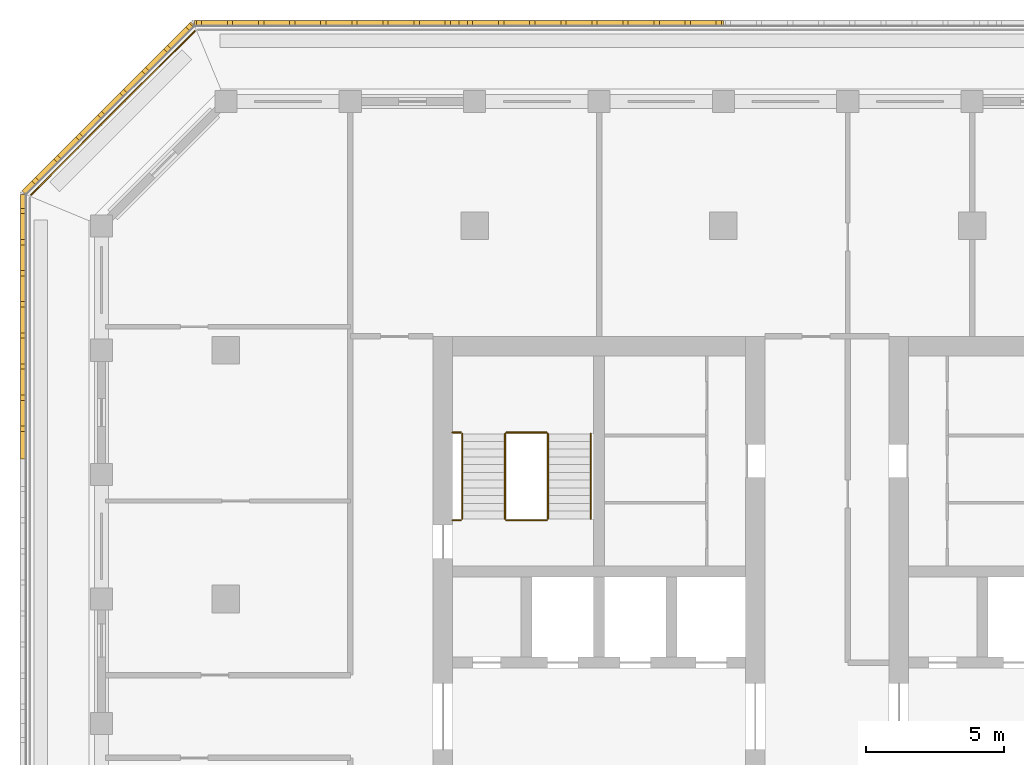
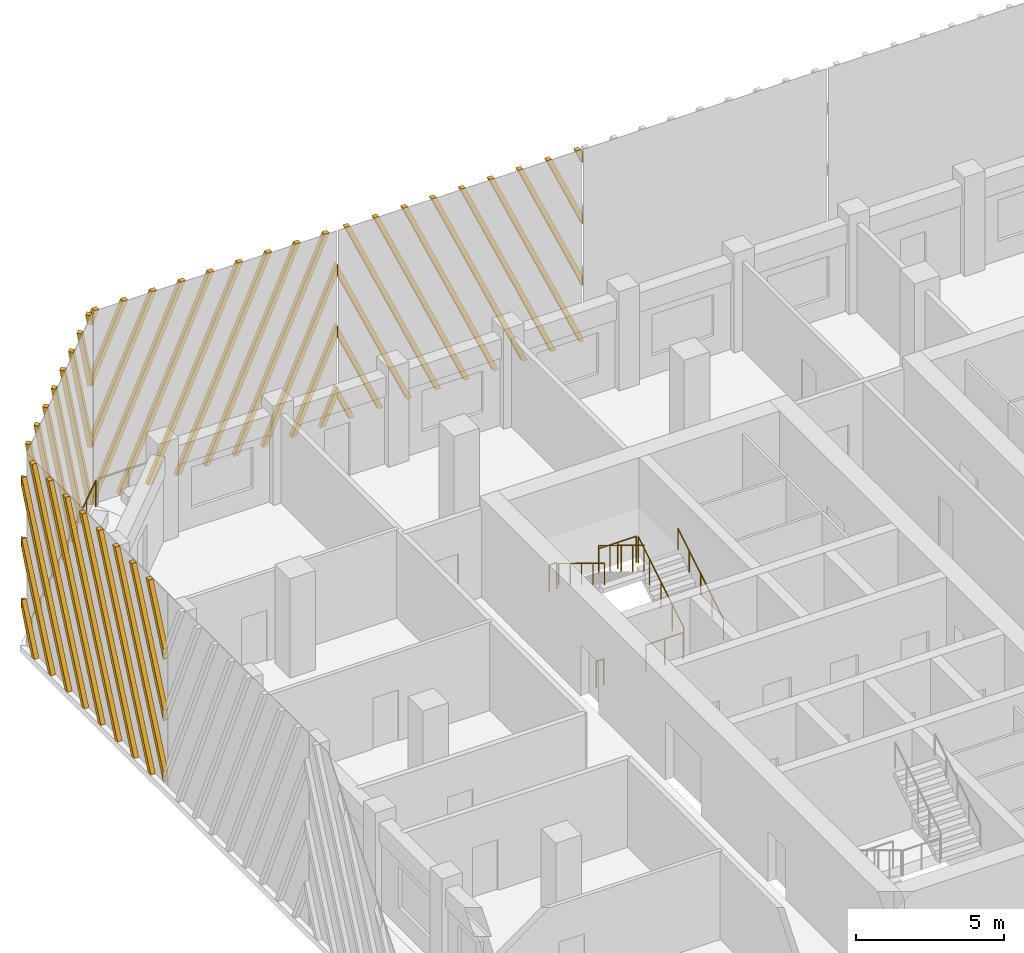
# One storey, part 12 of 15: 9 railings, 4 shading devices.
"""IFC4 building model written with IfcOpenShell, lengths in metres."""

import ifcopenshell
import ifcopenshell.guid

model = None  # the IFC model being written
_history = None  # IfcOwnerHistory: only IFC2X3 demands one
_inside = {}  # id of a spatial element -> (the spatial element, [elements in it])
_under = {}  # id of a project, library or spatial element -> (it, [spatial elements below it])
_declared = {}  # id of a project -> (the project, [libraries it declares])
_typed = {}  # id of a type object -> (the type object, [elements of that type])
_made_of = {}  # id of a material, layer set ... -> (it, [elements and type objects made of it])


def new_model(schema):
    """Start an empty IFC model of exactly this schema.

    Asked for "IFC4X3", IfcOpenShell would pick the latest addendum, in which some entities
    have other attributes; the version numbers below select the first issue.
    IFC2X3 requires an IfcOwnerHistory on every rooted entity: one is made here for all.
    """
    global model, _history
    if schema == "IFC4X3":
        model = ifcopenshell.file(schema_version=(4, 3, 0, 0))
    else:
        model = ifcopenshell.file(schema=schema)
    _inside.clear()
    _under.clear()
    _declared.clear()
    _typed.clear()
    _made_of.clear()
    _history = None
    if model.schema == "IFC2X3":
        org = make("IfcOrganization", Name="unknown")
        user = make(
            "IfcPersonAndOrganization",
            ThePerson=make("IfcPerson", FamilyName="unknown"),
            TheOrganization=org,
        )
        app = make(
            "IfcApplication",
            ApplicationDeveloper=org,
            Version="unknown",
            ApplicationFullName="unknown",
            ApplicationIdentifier="unknown",
        )
        _history = make(
            "IfcOwnerHistory",
            OwningUser=user,
            OwningApplication=app,
            ChangeAction="ADDED",
            CreationDate=0,
        )
    return model


def make(cls, **values):
    """One entity of the class cls with the attributes given. An attribute that is None is left unset."""
    return model.create_entity(
        cls, **{name: value for name, value in values.items() if value is not None}
    )


def rooted(cls, **values):
    """An entity with a GlobalId (a new one), such as an element, a storey or a relation."""
    return make(cls, GlobalId=ifcopenshell.guid.new(), OwnerHistory=_history, **values)


def si_unit(unit_type, name, prefix=None):
    """IfcSIUnit, for example si_unit("LENGTHUNIT", "METRE", prefix="MILLI")."""
    return make("IfcSIUnit", UnitType=unit_type, Prefix=prefix, Name=name)


def assignment(units):
    """IfcUnitAssignment: the units of a project."""
    return None if units is None else make("IfcUnitAssignment", Units=units)


def point(xyz):
    """IfcCartesianPoint."""
    return None if xyz is None else make("IfcCartesianPoint", Coordinates=xyz)


def direction(xyz):
    """IfcDirection."""
    return None if xyz is None else make("IfcDirection", DirectionRatios=xyz)


def frame(location, z_axis=None, x_axis=None):
    """IfcAxis2Placement3D, a coordinate frame: its origin and axes. An axis left out is left unset."""
    return make(
        "IfcAxis2Placement3D",
        Location=point(location),
        Axis=direction(z_axis),
        RefDirection=direction(x_axis),
    )


def frame_2d(location, x_axis=None):
    """IfcAxis2Placement2D, a coordinate frame in the plane: its origin and x axis."""
    return make(
        "IfcAxis2Placement2D", Location=point(location), RefDirection=direction(x_axis)
    )


def origin():
    """The frame at (0, 0, 0) with its axes left unset."""
    return frame((0.0, 0.0, 0.0))


def origin_2d():
    """The frame at (0, 0) in the plane with its x axis left unset."""
    return frame_2d((0.0, 0.0))


def place(relative_to, where):
    """IfcLocalPlacement: puts the frame where relative to a parent placement (None: the world)."""
    return make(
        "IfcLocalPlacement", PlacementRelTo=relative_to, RelativePlacement=where
    )


def context(
    kind, dimensions, precision=None, world=None, true_north=None, identifier=None
):
    """IfcGeometricRepresentationContext, for example the 3D "Model" context."""
    return make(
        "IfcGeometricRepresentationContext",
        ContextIdentifier=identifier,
        ContextType=kind,
        CoordinateSpaceDimension=dimensions,
        Precision=precision,
        WorldCoordinateSystem=world,
        TrueNorth=true_north,
    )


def subcontext(parent, identifier, kind, view, scale=None):
    """IfcGeometricRepresentationSubContext, for example "Body" below "Model"."""
    return make(
        "IfcGeometricRepresentationSubContext",
        ContextIdentifier=identifier,
        ContextType=kind,
        ParentContext=parent,
        TargetScale=scale,
        TargetView=view,
    )


def project(units=None, contexts=None):
    """IfcProject with its units and contexts."""
    return rooted(
        "IfcProject",
        Name="project",
        RepresentationContexts=contexts,
        UnitsInContext=assignment(units),
    )


def spatial(cls, under=None, at=None, **own):
    """A site, building, storey or space (cls), placed at a placement, below another one or the project."""
    s = rooted(cls, ObjectPlacement=at, **own)
    if under is not None:
        _under.setdefault(under.id(), (under, []))[1].append(s)
    return s


def polyline(points):
    """IfcPolyline through the points."""
    return make("IfcPolyline", Points=[point(p) for p in points])


def profile(cls, at=None, kind="AREA", **sizes):
    """A parametric profile (cls). Its sizes go by their IFC names, for example OverallWidth=200.0."""
    return make(cls, ProfileType=kind, Position=at, **sizes)


def circle(**sizes):
    """IfcCircleProfileDef."""
    return profile("IfcCircleProfileDef", **sizes)


def outline(outer, holes=None, kind="AREA"):
    """IfcArbitraryClosedProfileDef: a profile drawn as a closed curve; with holes, ...WithVoids."""
    if holes is None:
        return make("IfcArbitraryClosedProfileDef", ProfileType=kind, OuterCurve=outer)
    return make(
        "IfcArbitraryProfileDefWithVoids",
        ProfileType=kind,
        OuterCurve=outer,
        InnerCurves=holes,
    )


def extrude(swept, where, along, depth):
    """IfcExtrudedAreaSolid: the profile swept, set in the frame where, extruded along a direction by depth."""
    return make(
        "IfcExtrudedAreaSolid",
        SweptArea=swept,
        Position=where,
        ExtrudedDirection=direction(along),
        Depth=depth,
    )


def shape(context_of_items, identifier, shape_type, items):
    """IfcShapeRepresentation: the items that make up one representation, for example the "Body"."""
    return make(
        "IfcShapeRepresentation",
        ContextOfItems=context_of_items,
        RepresentationIdentifier=identifier,
        RepresentationType=shape_type,
        Items=items,
    )


def source(mapping_origin, context_of_items, identifier, shape_type, items):
    """IfcRepresentationMap: a shape defined once, which mapped items show again and again."""
    return make(
        "IfcRepresentationMap",
        MappingOrigin=mapping_origin,
        MappedRepresentation=shape(context_of_items, identifier, shape_type, items),
    )


def transform(
    local_origin,
    x_axis=None,
    y_axis=None,
    z_axis=None,
    scale=None,
    scale2=None,
    scale3=None,
    uniform=True,
):
    """IfcCartesianTransformationOperator3D, or its non-uniform kind. x_axis, y_axis, z_axis: its Axis1, 2, 3."""
    if uniform:
        return make(
            "IfcCartesianTransformationOperator3D",
            Axis1=direction(x_axis),
            Axis2=direction(y_axis),
            LocalOrigin=point(local_origin),
            Scale=scale,
            Axis3=direction(z_axis),
        )
    return make(
        "IfcCartesianTransformationOperator3DnonUniform",
        Axis1=direction(x_axis),
        Axis2=direction(y_axis),
        LocalOrigin=point(local_origin),
        Scale=scale,
        Axis3=direction(z_axis),
        Scale2=scale2,
        Scale3=scale3,
    )


def mapped(mapping_source, mapping_target):
    """IfcMappedItem: shows the shape of a source again, moved by a transform."""
    return make(
        "IfcMappedItem", MappingSource=mapping_source, MappingTarget=mapping_target
    )


def material(Name=None, Category=None):
    """IfcMaterial."""
    return make("IfcMaterial", Name=Name, Category=Category)


def made_of(thing, what):
    """Note that an element or type object is made of a material, layer set ...; save() writes the relation."""
    if what is not None:
        _made_of.setdefault(what.id(), (what, []))[1].append(thing)
    return thing


def type_object(cls, material=None, **own):
    """A type object (cls), such as IfcWallType, which elements share."""
    return made_of(rooted(cls, **own), material)


def element(
    cls,
    number,
    at=None,
    inside=None,
    cuts=None,
    type_object=None,
    material=None,
    context=None,
    identifier="Body",
    shape_type=None,
    held_by="IfcProductDefinitionShape",
    body=None,
    shapes=None,
    **own,
):
    """One element of the class cls, such as IfcWall. Its Tag is "e" and its number.

    at: its placement. inside: the storey or other place that contains it. cuts: it is an
    opening in that element (IfcRelVoidsElement). A single representation is given by context,
    identifier, shape_type and body (its items); several are given by shapes. held_by: the class
    of the entity that holds the representations. save() writes the other relations.
    """
    e = rooted(cls, Tag="e%d" % number, ObjectPlacement=at, **own)
    if body is not None:
        shapes = [shape(context, identifier, shape_type, body)]
    if shapes is not None:
        e.Representation = make(held_by, Representations=shapes)
    if inside is not None:
        _inside.setdefault(inside.id(), (inside, []))[1].append(e)
    if cuts is not None:
        rooted(
            "IfcRelVoidsElement", RelatingBuildingElement=cuts, RelatedOpeningElement=e
        )
    if type_object is not None:
        _typed.setdefault(type_object.id(), (type_object, []))[1].append(e)
    return made_of(e, material)


def aggregate(whole, parts):
    """IfcRelAggregates: a whole, such as a stair, and the parts it consists of."""
    return rooted("IfcRelAggregates", RelatingObject=whole, RelatedObjects=parts)


def save(model, path):
    """Write the relations noted so far, then the file.

    IfcRelAggregates (storeys below a building ...), IfcRelContainedInSpatialStructure (elements
    in a storey), IfcRelDefinesByType, IfcRelAssociatesMaterial and IfcRelDeclares: one each for
    every whole, place, type object, material and project.
    """
    for whole, parts in _under.values():
        aggregate(whole, parts)
    for where, things in _inside.values():
        rooted(
            "IfcRelContainedInSpatialStructure",
            RelatedElements=things,
            RelatingStructure=where,
        )
    for kind, things in _typed.values():
        rooted("IfcRelDefinesByType", RelatedObjects=things, RelatingType=kind)
    for what, things in _made_of.values():
        rooted("IfcRelAssociatesMaterial", RelatedObjects=things, RelatingMaterial=what)
    for by, libraries in _declared.values():
        rooted("IfcRelDeclares", RelatingContext=by, RelatedDefinitions=libraries)
    model.write(path)


model = new_model("IFC4")

# Units and contexts
model_context = context("Model", 3, precision=1e-05, world=origin(), true_north=direction((0.0, 1.0)))
body_context = subcontext(model_context, "Body", "Model", "MODEL_VIEW")
ifc_project = project(units=[si_unit("LENGTHUNIT", "METRE"), si_unit("AREAUNIT", "SQUARE_METRE"), si_unit("VOLUMEUNIT", "CUBIC_METRE"), si_unit("PLANEANGLEUNIT", "RADIAN"), si_unit("MASSUNIT", "GRAM", prefix="KILO")], contexts=[model_context])

# Site, building, storey
site_placement = place(None, origin())
site = spatial("IfcSite", under=ifc_project, at=site_placement, CompositionType="ELEMENT")
building_placement = place(site_placement, origin())
building = spatial("IfcBuilding", under=site, at=building_placement, Name="Corbel Stack Research Tower", CompositionType="ELEMENT")
storey_placement = place(building_placement, frame((0.0, 0.0, 282.699951171875)))
storey = spatial("IfcBuildingStorey", under=building, at=storey_placement, Name="L64", CompositionType="ELEMENT", Elevation=282.699951171875)

# Railings
ifc_material_1 = material(Name="Steel S355", Category="steel")
railing_type_1 = type_object("IfcRailingType", Name="Stair guard 1100", PredefinedType="GUARDRAIL", material=ifc_material_1)
railing_1_placement = place(storey_placement, frame((-6.35009765625, 11.89990234375, 0.1708984375)))
element("IfcRailing", 1, at=railing_1_placement, inside=storey, type_object=railing_type_1, Name="L64 ST-W2 stair guard 1", PredefinedType="GUARDRAIL", context=body_context, shape_type="SweptSolid", body=[
    extrude(circle(Radius=0.02392578125, at=origin_2d()), frame((0.0, 0.0, 1.076171875), z_axis=(0.0, 0.853666305674, 0.52082035152), x_axis=(-1.0, 0.0, 0.0)), (0.0, 0.0, 1.0), 3.608154296875),
    extrude(circle(Radius=0.02099609375, at=origin_2d()), origin(), (0.0, 0.0, 1.0), 1.052001953125),
    extrude(circle(Radius=0.02099609375, at=origin_2d()), frame((0.0, 0.77001953125, 0.4697265625)), (0.0, 0.0, 1.0), 1.052001953125),
    extrude(circle(Radius=0.02099609375, at=origin_2d()), frame((0.0, 1.5400390625, 0.939453125)), (0.0, 0.0, 1.0), 1.052001953125),
    extrude(circle(Radius=0.02099609375, at=origin_2d()), frame((0.0, 2.31005859375, 1.409423828125)), (0.0, 0.0, 1.0), 1.052001953125),
    extrude(circle(Radius=0.02099609375, at=origin_2d()), frame((0.0, 3.080078125, 1.879150390625)), (0.0, 0.0, 1.0), 1.052001953125),
])
railing_2_placement = place(storey_placement, frame((-6.39990234375, 15.030029296875, 2.050048828125)))
element("IfcRailing", 2, at=railing_2_placement, inside=storey, type_object=railing_type_1, Name="L64 ST-W2 stair guard 2", PredefinedType="GUARDRAIL", context=body_context, shape_type="SweptSolid", body=[
    extrude(circle(Radius=0.02392578125, at=origin_2d()), frame((0.0, 0.0, 1.076171875), z_axis=(-1.0, 0.0, 0.0), x_axis=(0.0, -1.0, 0.0)), (0.0, 0.0, 1.0), 1.4501953125),
    extrude(circle(Radius=0.02099609375, at=origin_2d()), origin(), (0.0, 0.0, 1.0), 1.052001953125),
    extrude(circle(Radius=0.02099609375, at=origin_2d()), frame((-0.72509765625, 0.0, 0.0)), (0.0, 0.0, 1.0), 1.052001953125),
    extrude(circle(Radius=0.02099609375, at=origin_2d()), frame((-1.4501953125, 0.0, 0.0)), (0.0, 0.0, 1.0), 1.052001953125),
])
railing_3_placement = place(storey_placement, frame((-9.5, 15.030029296875, 2.050048828125)))
element("IfcRailing", 3, at=railing_3_placement, inside=storey, type_object=railing_type_1, Name="L64 ST-W2 stair guard 3", PredefinedType="GUARDRAIL", context=body_context, shape_type="SweptSolid", body=[
    extrude(circle(Radius=0.02392578125, at=origin_2d()), frame((0.0, 0.0, 1.076171875), z_axis=(-1.0, 0.0, 0.0), x_axis=(0.0, -1.0, 0.0)), (0.0, 0.0, 1.0), 0.300048828125),
    extrude(circle(Radius=0.02099609375, at=origin_2d()), origin(), (0.0, 0.0, 1.0), 1.052001953125),
    extrude(circle(Radius=0.02099609375, at=origin_2d()), frame((-0.300048828125, 0.0, 0.0)), (0.0, 0.0, 1.0), 1.052001953125),
])
railing_4_placement = place(storey_placement, frame((-7.89990234375, 14.97998046875, 2.220947265625)))
element("IfcRailing", 4, at=railing_4_placement, inside=storey, type_object=railing_type_1, Name="L64 ST-W2 stair guard 4", PredefinedType="GUARDRAIL", context=body_context, shape_type="SweptSolid", body=[
    extrude(circle(Radius=0.02392578125, at=origin_2d()), frame((0.0, 0.0, 1.076171875), z_axis=(0.0, -0.853666305674, 0.52082035152), x_axis=(1.0, 0.0, 0.0)), (0.0, 0.0, 1.0), 3.608154296875),
    extrude(circle(Radius=0.02099609375, at=origin_2d()), origin(), (0.0, 0.0, 1.0), 1.052001953125),
    extrude(circle(Radius=0.02099609375, at=origin_2d()), frame((0.0, -0.77001953125, 0.4697265625)), (0.0, 0.0, 1.0), 1.052001953125),
    extrude(circle(Radius=0.02099609375, at=origin_2d()), frame((0.0, -1.5400390625, 0.939453125)), (0.0, 0.0, 1.0), 1.052001953125),
    extrude(circle(Radius=0.02099609375, at=origin_2d()), frame((0.0, -2.31005859375, 1.409423828125)), (0.0, 0.0, 1.0), 1.052001953125),
    extrude(circle(Radius=0.02099609375, at=origin_2d()), frame((0.0, -3.080078125, 1.879150390625)), (0.0, 0.0, 1.0), 1.052001953125),
])
railing_5_placement = place(storey_placement, frame((-6.39990234375, 11.85009765625, 0.0)))
element("IfcRailing", 5, at=railing_5_placement, inside=storey, type_object=railing_type_1, Name="L64 ST-W2 stair guard 5", PredefinedType="GUARDRAIL", context=body_context, shape_type="SweptSolid", body=[
    extrude(circle(Radius=0.02392578125, at=origin_2d()), frame((0.0, 0.0, 1.076171875), z_axis=(-1.0, 0.0, 0.0), x_axis=(0.0, -1.0, 0.0)), (0.0, 0.0, 1.0), 1.4501953125),
    extrude(circle(Radius=0.02099609375, at=origin_2d()), origin(), (0.0, 0.0, 1.0), 1.052001953125),
    extrude(circle(Radius=0.02099609375, at=origin_2d()), frame((-0.72509765625, 0.0, 0.0)), (0.0, 0.0, 1.0), 1.052001953125),
    extrude(circle(Radius=0.02099609375, at=origin_2d()), frame((-1.4501953125, 0.0, 0.0)), (0.0, 0.0, 1.0), 1.052001953125),
])
railing_6_placement = place(storey_placement, frame((-9.5, 11.85009765625, 0.0)))
element("IfcRailing", 6, at=railing_6_placement, inside=storey, type_object=railing_type_1, Name="L64 ST-W2 stair guard 6", PredefinedType="GUARDRAIL", context=body_context, shape_type="SweptSolid", body=[
    extrude(circle(Radius=0.02392578125, at=origin_2d()), frame((0.0, 0.0, 1.076171875), z_axis=(-1.0, 0.0, 0.0), x_axis=(0.0, -1.0, 0.0)), (0.0, 0.0, 1.0), 0.300048828125),
    extrude(circle(Radius=0.02099609375, at=origin_2d()), origin(), (0.0, 0.0, 1.0), 1.052001953125),
    extrude(circle(Radius=0.02099609375, at=origin_2d()), frame((-0.300048828125, 0.0, 0.0)), (0.0, 0.0, 1.0), 1.052001953125),
])
ifc_material_2 = material(Name="Steel S355", Category="steel")
railing_type_2 = type_object("IfcRailingType", Name="Stair handrail 900", PredefinedType="HANDRAIL", material=ifc_material_2)
railing_7_placement = place(storey_placement, frame((-4.800048828125, 11.89990234375, 0.1708984375)))
element("IfcRailing", 7, at=railing_7_placement, inside=storey, type_object=railing_type_2, Name="L64 ST-W2 stair handrail 1", PredefinedType="HANDRAIL", context=body_context, shape_type="SweptSolid", body=[
    extrude(circle(Radius=0.02392578125, at=origin_2d()), frame((0.0, 0.0, 0.8759765625), z_axis=(0.0, 0.853666305674, 0.52082035152), x_axis=(-1.0, 0.0, 0.0)), (0.0, 0.0, 1.0), 3.608154296875),
    extrude(circle(Radius=0.02099609375, at=origin_2d()), origin(), (0.0, 0.0, 1.0), 0.851806640625),
    extrude(circle(Radius=0.02099609375, at=origin_2d()), frame((0.0, 0.77001953125, 0.4697265625)), (0.0, 0.0, 1.0), 0.851806640625),
    extrude(circle(Radius=0.02099609375, at=origin_2d()), frame((0.0, 1.5400390625, 0.939453125)), (0.0, 0.0, 1.0), 0.851806640625),
    extrude(circle(Radius=0.02099609375, at=origin_2d()), frame((0.0, 2.31005859375, 1.409423828125)), (0.0, 0.0, 1.0), 0.851806640625),
    extrude(circle(Radius=0.02099609375, at=origin_2d()), frame((0.0, 3.080078125, 1.879150390625)), (0.0, 0.0, 1.0), 0.851806640625),
])
railing_8_placement = place(storey_placement, frame((-9.449951171875, 14.97998046875, 2.220947265625)))
element("IfcRailing", 8, at=railing_8_placement, inside=storey, type_object=railing_type_2, Name="L64 ST-W2 stair handrail 2", PredefinedType="HANDRAIL", context=body_context, shape_type="SweptSolid", body=[
    extrude(circle(Radius=0.02392578125, at=origin_2d()), frame((0.0, 0.0, 0.8759765625), z_axis=(0.0, -0.853666305674, 0.52082035152), x_axis=(1.0, 0.0, 0.0)), (0.0, 0.0, 1.0), 3.608154296875),
    extrude(circle(Radius=0.02099609375, at=origin_2d()), origin(), (0.0, 0.0, 1.0), 0.851806640625),
    extrude(circle(Radius=0.02099609375, at=origin_2d()), frame((0.0, -0.77001953125, 0.4697265625)), (0.0, 0.0, 1.0), 0.851806640625),
    extrude(circle(Radius=0.02099609375, at=origin_2d()), frame((0.0, -1.5400390625, 0.939453125)), (0.0, 0.0, 1.0), 0.851806640625),
    extrude(circle(Radius=0.02099609375, at=origin_2d()), frame((0.0, -2.31005859375, 1.409423828125)), (0.0, 0.0, 1.0), 0.851806640625),
    extrude(circle(Radius=0.02099609375, at=origin_2d()), frame((0.0, -3.080078125, 1.879150390625)), (0.0, 0.0, 1.0), 0.851806640625),
])
ifc_material_3 = material(Name="Powder-coated steel guard", Category="steel")
railing_type_3 = type_object("IfcRailingType", Name="Steel and glass guard 1100", PredefinedType="GUARDRAIL", material=ifc_material_3)
railing_9_placement = place(storey_placement, frame((-19.127685546875, 29.54931640625, 0.0)))
element("IfcRailing", 9, at=railing_9_placement, inside=storey, type_object=railing_type_3, Name="Loggia guard L64 NW", PredefinedType="GUARDRAIL", context=body_context, shape_type="SweptSolid", body=[
    extrude(circle(Radius=0.02392578125, at=origin_2d()), frame((0.0, 0.0, 1.076171875), z_axis=(-0.707106781187, -0.707106781187, 0.0), x_axis=(0.707106781187, -0.707106781187, 0.0)), (0.0, 0.0, 1.0), 8.37451171875),
    extrude(circle(Radius=0.02099609375, at=origin_2d()), origin(), (0.0, 0.0, 1.0), 1.052001953125),
    extrude(circle(Radius=0.02099609375, at=origin_2d()), frame((-0.845947265625, -0.845947265625, 0.0)), (0.0, 0.0, 1.0), 1.052001953125),
    extrude(circle(Radius=0.02099609375, at=origin_2d()), frame((-1.69189453125, -1.69189453125, 0.0)), (0.0, 0.0, 1.0), 1.052001953125),
    extrude(circle(Radius=0.02099609375, at=origin_2d()), frame((-2.537841796875, -2.537841796875, 0.0)), (0.0, 0.0, 1.0), 1.052001953125),
    extrude(circle(Radius=0.02099609375, at=origin_2d()), frame((-3.3837890625, -3.3837890625, 0.0)), (0.0, 0.0, 1.0), 1.052001953125),
    extrude(circle(Radius=0.02099609375, at=origin_2d()), frame((-4.229736328125, -4.229736328125, 0.0)), (0.0, 0.0, 1.0), 1.052001953125),
    extrude(circle(Radius=0.02099609375, at=origin_2d()), frame((-5.07568359375, -5.07568359375, 0.0)), (0.0, 0.0, 1.0), 1.052001953125),
    extrude(circle(Radius=0.02099609375, at=origin_2d()), frame((-5.921630859375, -5.921630859375, 0.0)), (0.0, 0.0, 1.0), 1.052001953125),
])

# Shading devices
ifc_material_4 = material(Name="Precast terracotta", Category="masonry")
shading_device_type = type_object("IfcShadingDeviceType", Name="Terracotta screen panel", PredefinedType="USERDEFINED", material=ifc_material_4)
shared_shape_1 = source(origin(), body_context, "Body", "SweptSolid", [
    extrude(outline(polyline([(0.259521484375, 7.949951171875), (0.069580078125, 7.949951171875), (0.0, 7.793701171875), (0.0, 7.366943359375), (0.259521484375, 7.949951171875)])), frame((0.0, 0.0, 0.0), z_axis=(0.0, -1.0, 0.0), x_axis=(1.0, 0.0, 0.0)), (0.0, 0.0, 1.0), 0.179931640625),
    extrude(outline(polyline([(1.384521484375, 7.949951171875), (1.194580078125, 7.949951171875), (0.0, 5.26708984375), (0.0, 4.840087890625), (1.384521484375, 7.949951171875)])), frame((0.0, 0.0, 0.0), z_axis=(0.0, -1.0, 0.0), x_axis=(1.0, 0.0, 0.0)), (0.0, 0.0, 1.0), 0.179931640625),
    extrude(outline(polyline([(2.509521484375, 7.949951171875), (2.319580078125, 7.949951171875), (0.0, 2.740234375), (0.0, 2.3134765625), (2.509521484375, 7.949951171875)])), frame((0.0, 0.0, 0.0), z_axis=(0.0, -1.0, 0.0), x_axis=(1.0, 0.0, 0.0)), (0.0, 0.0, 1.0), 0.179931640625),
    extrude(outline(polyline([(0.094970703125, 0.0), (3.634521484375, 7.949951171875), (3.444580078125, 7.949951171875), (0.0, 0.21337890625), (0.0, 0.0), (0.094970703125, 0.0)])), frame((0.0, 0.0, 0.0), z_axis=(0.0, -1.0, 0.0), x_axis=(1.0, 0.0, 0.0)), (0.0, 0.0, 1.0), 0.179931640625),
    extrude(outline(polyline([(1.219970703125, 0.0), (4.759521484375, 7.949951171875), (4.569580078125, 7.949951171875), (1.030029296875, 0.0), (1.219970703125, 0.0)])), frame((0.0, 0.0, 0.0), z_axis=(0.0, -1.0, 0.0), x_axis=(1.0, 0.0, 0.0)), (0.0, 0.0, 1.0), 0.179931640625),
    extrude(outline(polyline([(2.344970703125, 0.0), (5.884521484375, 7.949951171875), (5.694580078125, 7.949951171875), (2.155029296875, 0.0), (2.344970703125, 0.0)])), frame((0.0, 0.0, 0.0), z_axis=(0.0, -1.0, 0.0), x_axis=(1.0, 0.0, 0.0)), (0.0, 0.0, 1.0), 0.179931640625),
    extrude(outline(polyline([(3.469970703125, 0.0), (7.009521484375, 7.949951171875), (6.819580078125, 7.949951171875), (3.280029296875, 0.0), (3.469970703125, 0.0)])), frame((0.0, 0.0, 0.0), z_axis=(0.0, -1.0, 0.0), x_axis=(1.0, 0.0, 0.0)), (0.0, 0.0, 1.0), 0.179931640625),
    extrude(outline(polyline([(4.594970703125, 0.0), (8.134521484375, 7.949951171875), (7.944580078125, 7.949951171875), (4.405029296875, 0.0), (4.594970703125, 0.0)])), frame((0.0, 0.0, 0.0), z_axis=(0.0, -1.0, 0.0), x_axis=(1.0, 0.0, 0.0)), (0.0, 0.0, 1.0), 0.179931640625),
    extrude(outline(polyline([(5.719970703125, 0.0), (9.259521484375, 7.949951171875), (9.069580078125, 7.949951171875), (5.530029296875, 0.0), (5.719970703125, 0.0)])), frame((0.0, 0.0, 0.0), z_axis=(0.0, -1.0, 0.0), x_axis=(1.0, 0.0, 0.0)), (0.0, 0.0, 1.0), 0.179931640625),
    extrude(outline(polyline([(6.844970703125, 0.0), (9.569580078125, 6.119384765625), (9.569580078125, 6.546142578125), (6.655029296875, 0.0), (6.844970703125, 0.0)])), frame((0.0, 0.0, 0.0), z_axis=(0.0, -1.0, 0.0), x_axis=(1.0, 0.0, 0.0)), (0.0, 0.0, 1.0), 0.179931640625),
    extrude(outline(polyline([(7.969970703125, 0.0), (9.569580078125, 3.592529296875), (9.569580078125, 4.019287109375), (7.780029296875, 0.0), (7.969970703125, 0.0)])), frame((0.0, 0.0, 0.0), z_axis=(0.0, -1.0, 0.0), x_axis=(1.0, 0.0, 0.0)), (0.0, 0.0, 1.0), 0.179931640625),
    extrude(outline(polyline([(9.094970703125, 0.0), (9.569580078125, 1.06591796875), (9.569580078125, 1.49267578125), (8.905029296875, 0.0), (9.094970703125, 0.0)])), frame((0.0, 0.0, 0.0), z_axis=(0.0, -1.0, 0.0), x_axis=(1.0, 0.0, 0.0)), (0.0, 0.0, 1.0), 0.179931640625),
])
shading_device_1_placement = place(storey_placement, frame((0.0, 29.75, 0.0), z_axis=(0.0, 0.0, 1.0), x_axis=(-1.0, 0.0, 0.0)))
element("IfcShadingDevice", 10, at=shading_device_1_placement, inside=storey, type_object=shading_device_type, Name="Terracotta screen L64 N3", ObjectType="SCREEN", PredefinedType="USERDEFINED", context=body_context, shape_type="MappedRepresentation", body=[
    mapped(shared_shape_1, transform((0.0, 0.0, 0.0))),
])
shared_shape_2 = source(origin(), body_context, "Body", "SweptSolid", [
    extrude(outline(polyline([(0.66455078125, 0.0), (0.0, 1.49267578125), (0.0, 1.06591796875), (0.474609375, 0.0), (0.66455078125, 0.0)])), frame((0.0, 0.0, 0.0), z_axis=(0.0, -1.0, 0.0), x_axis=(1.0, 0.0, 0.0)), (0.0, 0.0, 1.0), 0.179931640625),
    extrude(outline(polyline([(1.78955078125, 0.0), (0.0, 4.019287109375), (0.0, 3.592529296875), (1.599609375, 0.0), (1.78955078125, 0.0)])), frame((0.0, 0.0, 0.0), z_axis=(0.0, -1.0, 0.0), x_axis=(1.0, 0.0, 0.0)), (0.0, 0.0, 1.0), 0.179931640625),
    extrude(outline(polyline([(2.91455078125, 0.0), (0.0, 6.546142578125), (0.0, 6.119384765625), (2.724609375, 0.0), (2.91455078125, 0.0)])), frame((0.0, 0.0, 0.0), z_axis=(0.0, -1.0, 0.0), x_axis=(1.0, 0.0, 0.0)), (0.0, 0.0, 1.0), 0.179931640625),
    extrude(outline(polyline([(4.03955078125, 0.0), (0.5, 7.949951171875), (0.31005859375, 7.949951171875), (3.849609375, 0.0), (4.03955078125, 0.0)])), frame((0.0, 0.0, 0.0), z_axis=(0.0, -1.0, 0.0), x_axis=(1.0, 0.0, 0.0)), (0.0, 0.0, 1.0), 0.179931640625),
    extrude(outline(polyline([(5.16455078125, 0.0), (1.625, 7.949951171875), (1.43505859375, 7.949951171875), (4.974609375, 0.0), (5.16455078125, 0.0)])), frame((0.0, 0.0, 0.0), z_axis=(0.0, -1.0, 0.0), x_axis=(1.0, 0.0, 0.0)), (0.0, 0.0, 1.0), 0.179931640625),
    extrude(outline(polyline([(6.28955078125, 0.0), (2.75, 7.949951171875), (2.56005859375, 7.949951171875), (6.099609375, 0.0), (6.28955078125, 0.0)])), frame((0.0, 0.0, 0.0), z_axis=(0.0, -1.0, 0.0), x_axis=(1.0, 0.0, 0.0)), (0.0, 0.0, 1.0), 0.179931640625),
    extrude(outline(polyline([(7.41455078125, 0.0), (3.875, 7.949951171875), (3.68505859375, 7.949951171875), (7.224609375, 0.0), (7.41455078125, 0.0)])), frame((0.0, 0.0, 0.0), z_axis=(0.0, -1.0, 0.0), x_axis=(1.0, 0.0, 0.0)), (0.0, 0.0, 1.0), 0.179931640625),
    extrude(outline(polyline([(8.53955078125, 0.0), (5.0, 7.949951171875), (4.81005859375, 7.949951171875), (8.349609375, 0.0), (8.53955078125, 0.0)])), frame((0.0, 0.0, 0.0), z_axis=(0.0, -1.0, 0.0), x_axis=(1.0, 0.0, 0.0)), (0.0, 0.0, 1.0), 0.179931640625),
    extrude(outline(polyline([(9.569580078125, 0.0), (9.569580078125, 0.21337890625), (6.125, 7.949951171875), (5.93505859375, 7.949951171875), (9.474609375, 0.0), (9.569580078125, 0.0)])), frame((0.0, 0.0, 0.0), z_axis=(0.0, -1.0, 0.0), x_axis=(1.0, 0.0, 0.0)), (0.0, 0.0, 1.0), 0.179931640625),
    extrude(outline(polyline([(7.25, 7.949951171875), (7.06005859375, 7.949951171875), (9.569580078125, 2.3134765625), (9.569580078125, 2.740234375), (7.25, 7.949951171875)])), frame((0.0, 0.0, 0.0), z_axis=(0.0, -1.0, 0.0), x_axis=(1.0, 0.0, 0.0)), (0.0, 0.0, 1.0), 0.179931640625),
    extrude(outline(polyline([(8.375, 7.949951171875), (8.18505859375, 7.949951171875), (9.569580078125, 4.840087890625), (9.569580078125, 5.26708984375), (8.375, 7.949951171875)])), frame((0.0, 0.0, 0.0), z_axis=(0.0, -1.0, 0.0), x_axis=(1.0, 0.0, 0.0)), (0.0, 0.0, 1.0), 0.179931640625),
    extrude(outline(polyline([(9.5, 7.949951171875), (9.31005859375, 7.949951171875), (9.569580078125, 7.366943359375), (9.569580078125, 7.793701171875), (9.5, 7.949951171875)])), frame((0.0, 0.0, 0.0), z_axis=(0.0, -1.0, 0.0), x_axis=(1.0, 0.0, 0.0)), (0.0, 0.0, 1.0), 0.179931640625),
])
shading_device_2_placement = place(storey_placement, frame((-9.569580078125, 29.75, 0.0), z_axis=(0.0, 0.0, 1.0), x_axis=(-1.0, 0.0, 0.0)))
element("IfcShadingDevice", 11, at=shading_device_2_placement, inside=storey, type_object=shading_device_type, Name="Terracotta screen L64 N4", ObjectType="SCREEN", PredefinedType="USERDEFINED", context=body_context, shape_type="MappedRepresentation", body=[
    mapped(shared_shape_2, transform((0.0, 0.0, 0.0))),
])
shared_shape_3 = source(origin(), body_context, "Body", "SweptSolid", [
    extrude(outline(polyline([(0.259521484375, 7.949951171875), (0.069580078125, 7.949951171875), (0.0, 7.793701171875), (0.0, 7.366943359375), (0.259521484375, 7.949951171875)])), frame((0.0, 0.0, 0.0), z_axis=(0.0, -1.0, 0.0), x_axis=(1.0, 0.0, 0.0)), (0.0, 0.0, 1.0), 0.179931640625),
    extrude(outline(polyline([(1.384521484375, 7.949951171875), (1.194580078125, 7.949951171875), (0.0, 5.26708984375), (0.0, 4.840087890625), (1.384521484375, 7.949951171875)])), frame((0.0, 0.0, 0.0), z_axis=(0.0, -1.0, 0.0), x_axis=(1.0, 0.0, 0.0)), (0.0, 0.0, 1.0), 0.179931640625),
    extrude(outline(polyline([(2.509521484375, 7.949951171875), (2.319580078125, 7.949951171875), (0.0, 2.740234375), (0.0, 2.3134765625), (2.509521484375, 7.949951171875)])), frame((0.0, 0.0, 0.0), z_axis=(0.0, -1.0, 0.0), x_axis=(1.0, 0.0, 0.0)), (0.0, 0.0, 1.0), 0.179931640625),
    extrude(outline(polyline([(0.094970703125, 0.0), (3.634521484375, 7.949951171875), (3.444580078125, 7.949951171875), (0.0, 0.21337890625), (0.0, 0.0), (0.094970703125, 0.0)])), frame((0.0, 0.0, 0.0), z_axis=(0.0, -1.0, 0.0), x_axis=(1.0, 0.0, 0.0)), (0.0, 0.0, 1.0), 0.179931640625),
    extrude(outline(polyline([(1.219970703125, 0.0), (4.759521484375, 7.949951171875), (4.569580078125, 7.949951171875), (1.030029296875, 0.0), (1.219970703125, 0.0)])), frame((0.0, 0.0, 0.0), z_axis=(0.0, -1.0, 0.0), x_axis=(1.0, 0.0, 0.0)), (0.0, 0.0, 1.0), 0.179931640625),
    extrude(outline(polyline([(2.344970703125, 0.0), (5.884521484375, 7.949951171875), (5.694580078125, 7.949951171875), (2.155029296875, 0.0), (2.344970703125, 0.0)])), frame((0.0, 0.0, 0.0), z_axis=(0.0, -1.0, 0.0), x_axis=(1.0, 0.0, 0.0)), (0.0, 0.0, 1.0), 0.179931640625),
    extrude(outline(polyline([(3.469970703125, 0.0), (7.009521484375, 7.949951171875), (6.819580078125, 7.949951171875), (3.280029296875, 0.0), (3.469970703125, 0.0)])), frame((0.0, 0.0, 0.0), z_axis=(0.0, -1.0, 0.0), x_axis=(1.0, 0.0, 0.0)), (0.0, 0.0, 1.0), 0.179931640625),
    extrude(outline(polyline([(4.594970703125, 0.0), (8.134521484375, 7.949951171875), (7.944580078125, 7.949951171875), (4.405029296875, 0.0), (4.594970703125, 0.0)])), frame((0.0, 0.0, 0.0), z_axis=(0.0, -1.0, 0.0), x_axis=(1.0, 0.0, 0.0)), (0.0, 0.0, 1.0), 0.179931640625),
    extrude(outline(polyline([(5.719970703125, 0.0), (8.64208984375, 6.563232421875), (8.64208984375, 6.989990234375), (5.530029296875, 0.0), (5.719970703125, 0.0)])), frame((0.0, 0.0, 0.0), z_axis=(0.0, -1.0, 0.0), x_axis=(1.0, 0.0, 0.0)), (0.0, 0.0, 1.0), 0.179931640625),
    extrude(outline(polyline([(6.844970703125, 0.0), (8.64208984375, 4.036376953125), (8.64208984375, 4.463134765625), (6.655029296875, 0.0), (6.844970703125, 0.0)])), frame((0.0, 0.0, 0.0), z_axis=(0.0, -1.0, 0.0), x_axis=(1.0, 0.0, 0.0)), (0.0, 0.0, 1.0), 0.179931640625),
    extrude(outline(polyline([(7.969970703125, 0.0), (8.64208984375, 1.509521484375), (8.64208984375, 1.936279296875), (7.780029296875, 0.0), (7.969970703125, 0.0)])), frame((0.0, 0.0, 0.0), z_axis=(0.0, -1.0, 0.0), x_axis=(1.0, 0.0, 0.0)), (0.0, 0.0, 1.0), 0.179931640625),
])
shading_device_3_placement = place(storey_placement, frame((-19.13916015625, 29.75, 0.0), z_axis=(0.0, 0.0, 1.0), x_axis=(-0.707106781187, -0.707106781187, 0.0)))
element("IfcShadingDevice", 12, at=shading_device_3_placement, inside=storey, type_object=shading_device_type, Name="Terracotta screen L64 NW1", ObjectType="SCREEN", PredefinedType="USERDEFINED", context=body_context, shape_type="MappedRepresentation", body=[
    mapped(shared_shape_3, transform((0.0, 0.0, 0.0))),
])
shared_shape_4 = source(origin(), body_context, "Body", "SweptSolid", [
    extrude(outline(polyline([(0.862060546875, 0.0), (0.0, 1.936279296875), (0.0, 1.509521484375), (0.672119140625, 0.0), (0.862060546875, 0.0)])), frame((0.0, 0.0, 0.0), z_axis=(0.0, -1.0, 0.0), x_axis=(1.0, 0.0, 0.0)), (0.0, 0.0, 1.0), 0.179931640625),
    extrude(outline(polyline([(1.987060546875, 0.0), (0.0, 4.463134765625), (0.0, 4.036376953125), (1.797119140625, 0.0), (1.987060546875, 0.0)])), frame((0.0, 0.0, 0.0), z_axis=(0.0, -1.0, 0.0), x_axis=(1.0, 0.0, 0.0)), (0.0, 0.0, 1.0), 0.179931640625),
    extrude(outline(polyline([(3.112060546875, 0.0), (0.0, 6.989990234375), (0.0, 6.563232421875), (2.922119140625, 0.0), (3.112060546875, 0.0)])), frame((0.0, 0.0, 0.0), z_axis=(0.0, -1.0, 0.0), x_axis=(1.0, 0.0, 0.0)), (0.0, 0.0, 1.0), 0.179931640625),
    extrude(outline(polyline([(4.237060546875, 0.0), (0.697509765625, 7.949951171875), (0.507568359375, 7.949951171875), (4.047119140625, 0.0), (4.237060546875, 0.0)])), frame((0.0, 0.0, 0.0), z_axis=(0.0, -1.0, 0.0), x_axis=(1.0, 0.0, 0.0)), (0.0, 0.0, 1.0), 0.179931640625),
    extrude(outline(polyline([(5.362060546875, 0.0), (1.822509765625, 7.949951171875), (1.632568359375, 7.949951171875), (5.172119140625, 0.0), (5.362060546875, 0.0)])), frame((0.0, 0.0, 0.0), z_axis=(0.0, -1.0, 0.0), x_axis=(1.0, 0.0, 0.0)), (0.0, 0.0, 1.0), 0.179931640625),
    extrude(outline(polyline([(6.487060546875, 0.0), (2.947509765625, 7.949951171875), (2.757568359375, 7.949951171875), (6.297119140625, 0.0), (6.487060546875, 0.0)])), frame((0.0, 0.0, 0.0), z_axis=(0.0, -1.0, 0.0), x_axis=(1.0, 0.0, 0.0)), (0.0, 0.0, 1.0), 0.179931640625),
    extrude(outline(polyline([(7.612060546875, 0.0), (4.072509765625, 7.949951171875), (3.882568359375, 7.949951171875), (7.422119140625, 0.0), (7.612060546875, 0.0)])), frame((0.0, 0.0, 0.0), z_axis=(0.0, -1.0, 0.0), x_axis=(1.0, 0.0, 0.0)), (0.0, 0.0, 1.0), 0.179931640625),
    extrude(outline(polyline([(8.737060546875, 0.0), (5.197509765625, 7.949951171875), (5.007568359375, 7.949951171875), (8.547119140625, 0.0), (8.737060546875, 0.0)])), frame((0.0, 0.0, 0.0), z_axis=(0.0, -1.0, 0.0), x_axis=(1.0, 0.0, 0.0)), (0.0, 0.0, 1.0), 0.179931640625),
    extrude(outline(polyline([(6.322509765625, 7.949951171875), (6.132568359375, 7.949951171875), (9.569580078125, 0.23046875), (9.569580078125, 0.6572265625), (6.322509765625, 7.949951171875)])), frame((0.0, 0.0, 0.0), z_axis=(0.0, -1.0, 0.0), x_axis=(1.0, 0.0, 0.0)), (0.0, 0.0, 1.0), 0.179931640625),
    extrude(outline(polyline([(7.447509765625, 7.949951171875), (7.257568359375, 7.949951171875), (9.569580078125, 2.757080078125), (9.569580078125, 3.18408203125), (7.447509765625, 7.949951171875)])), frame((0.0, 0.0, 0.0), z_axis=(0.0, -1.0, 0.0), x_axis=(1.0, 0.0, 0.0)), (0.0, 0.0, 1.0), 0.179931640625),
    extrude(outline(polyline([(8.572509765625, 7.949951171875), (8.382568359375, 7.949951171875), (9.569580078125, 5.283935546875), (9.569580078125, 5.710693359375), (8.572509765625, 7.949951171875)])), frame((0.0, 0.0, 0.0), z_axis=(0.0, -1.0, 0.0), x_axis=(1.0, 0.0, 0.0)), (0.0, 0.0, 1.0), 0.179931640625),
])
shading_device_4_placement = place(storey_placement, frame((-25.25, 23.63916015625, 0.0), z_axis=(0.0, 0.0, 1.0), x_axis=(0.0, -1.0, 0.0)))
element("IfcShadingDevice", 13, at=shading_device_4_placement, inside=storey, type_object=shading_device_type, Name="Terracotta screen L64 W1", ObjectType="SCREEN", PredefinedType="USERDEFINED", context=body_context, shape_type="MappedRepresentation", body=[
    mapped(shared_shape_4, transform((0.0, 0.0, 0.0))),
])

save(model, "model.ifc")
